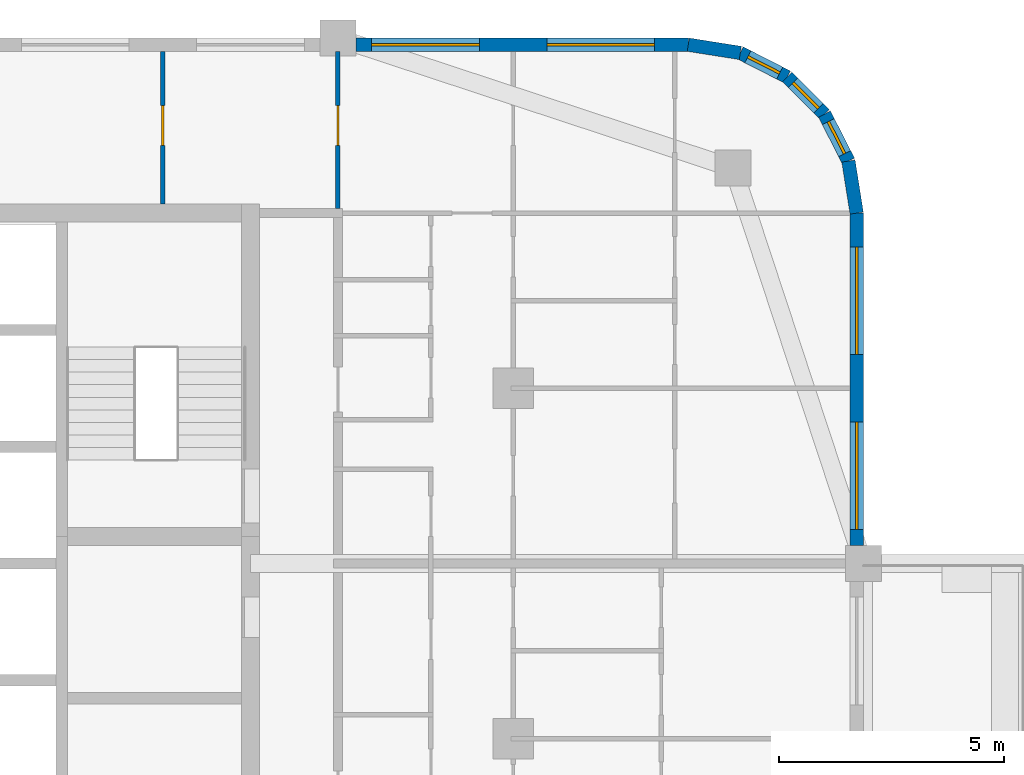
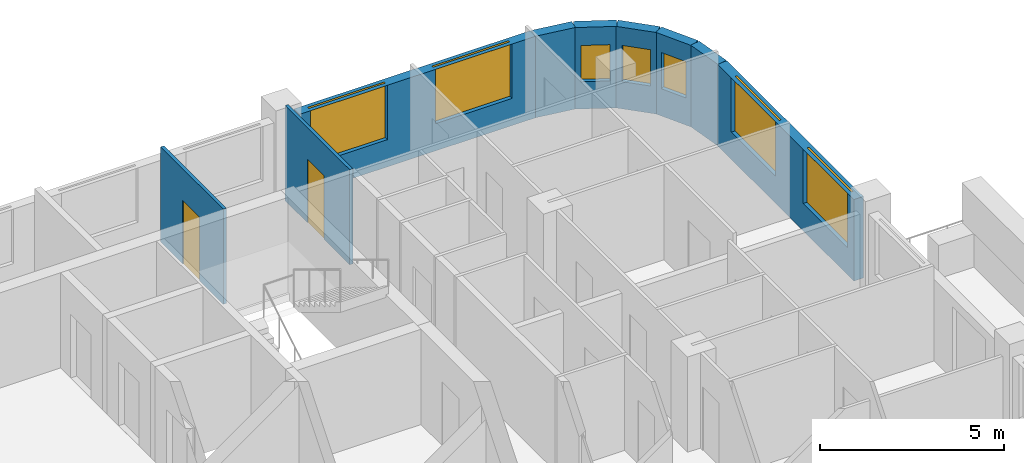
# One storey, part 12 of 17: 9 walls, 7 windows, 2 doors, 9 openings.
"""IFC4 building model written with IfcOpenShell, lengths in metres."""

import ifcopenshell
import ifcopenshell.guid

model = None  # the IFC model being written
_history = None  # IfcOwnerHistory: only IFC2X3 demands one
_inside = {}  # id of a spatial element -> (the spatial element, [elements in it])
_under = {}  # id of a project, library or spatial element -> (it, [spatial elements below it])
_declared = {}  # id of a project -> (the project, [libraries it declares])
_typed = {}  # id of a type object -> (the type object, [elements of that type])
_made_of = {}  # id of a material, layer set ... -> (it, [elements and type objects made of it])


def new_model(schema):
    """Start an empty IFC model of exactly this schema.

    Asked for "IFC4X3", IfcOpenShell would pick the latest addendum, in which some entities
    have other attributes; the version numbers below select the first issue.
    IFC2X3 requires an IfcOwnerHistory on every rooted entity: one is made here for all.
    """
    global model, _history
    if schema == "IFC4X3":
        model = ifcopenshell.file(schema_version=(4, 3, 0, 0))
    else:
        model = ifcopenshell.file(schema=schema)
    _inside.clear()
    _under.clear()
    _declared.clear()
    _typed.clear()
    _made_of.clear()
    _history = None
    if model.schema == "IFC2X3":
        org = make("IfcOrganization", Name="unknown")
        user = make(
            "IfcPersonAndOrganization",
            ThePerson=make("IfcPerson", FamilyName="unknown"),
            TheOrganization=org,
        )
        app = make(
            "IfcApplication",
            ApplicationDeveloper=org,
            Version="unknown",
            ApplicationFullName="unknown",
            ApplicationIdentifier="unknown",
        )
        _history = make(
            "IfcOwnerHistory",
            OwningUser=user,
            OwningApplication=app,
            ChangeAction="ADDED",
            CreationDate=0,
        )
    return model


def make(cls, **values):
    """One entity of the class cls with the attributes given. An attribute that is None is left unset."""
    return model.create_entity(
        cls, **{name: value for name, value in values.items() if value is not None}
    )


def rooted(cls, **values):
    """An entity with a GlobalId (a new one), such as an element, a storey or a relation."""
    return make(cls, GlobalId=ifcopenshell.guid.new(), OwnerHistory=_history, **values)


def si_unit(unit_type, name, prefix=None):
    """IfcSIUnit, for example si_unit("LENGTHUNIT", "METRE", prefix="MILLI")."""
    return make("IfcSIUnit", UnitType=unit_type, Prefix=prefix, Name=name)


def assignment(units):
    """IfcUnitAssignment: the units of a project."""
    return None if units is None else make("IfcUnitAssignment", Units=units)


def point(xyz):
    """IfcCartesianPoint."""
    return None if xyz is None else make("IfcCartesianPoint", Coordinates=xyz)


def direction(xyz):
    """IfcDirection."""
    return None if xyz is None else make("IfcDirection", DirectionRatios=xyz)


def frame(location, z_axis=None, x_axis=None):
    """IfcAxis2Placement3D, a coordinate frame: its origin and axes. An axis left out is left unset."""
    return make(
        "IfcAxis2Placement3D",
        Location=point(location),
        Axis=direction(z_axis),
        RefDirection=direction(x_axis),
    )


def frame_2d(location, x_axis=None):
    """IfcAxis2Placement2D, a coordinate frame in the plane: its origin and x axis."""
    return make(
        "IfcAxis2Placement2D", Location=point(location), RefDirection=direction(x_axis)
    )


def origin():
    """The frame at (0, 0, 0) with its axes left unset."""
    return frame((0.0, 0.0, 0.0))


def place(relative_to, where):
    """IfcLocalPlacement: puts the frame where relative to a parent placement (None: the world)."""
    return make(
        "IfcLocalPlacement", PlacementRelTo=relative_to, RelativePlacement=where
    )


def context(
    kind, dimensions, precision=None, world=None, true_north=None, identifier=None
):
    """IfcGeometricRepresentationContext, for example the 3D "Model" context."""
    return make(
        "IfcGeometricRepresentationContext",
        ContextIdentifier=identifier,
        ContextType=kind,
        CoordinateSpaceDimension=dimensions,
        Precision=precision,
        WorldCoordinateSystem=world,
        TrueNorth=true_north,
    )


def subcontext(parent, identifier, kind, view, scale=None):
    """IfcGeometricRepresentationSubContext, for example "Body" below "Model"."""
    return make(
        "IfcGeometricRepresentationSubContext",
        ContextIdentifier=identifier,
        ContextType=kind,
        ParentContext=parent,
        TargetScale=scale,
        TargetView=view,
    )


def project(units=None, contexts=None):
    """IfcProject with its units and contexts."""
    return rooted(
        "IfcProject",
        Name="project",
        RepresentationContexts=contexts,
        UnitsInContext=assignment(units),
    )


def spatial(cls, under=None, at=None, **own):
    """A site, building, storey or space (cls), placed at a placement, below another one or the project."""
    s = rooted(cls, ObjectPlacement=at, **own)
    if under is not None:
        _under.setdefault(under.id(), (under, []))[1].append(s)
    return s


def profile(cls, at=None, kind="AREA", **sizes):
    """A parametric profile (cls). Its sizes go by their IFC names, for example OverallWidth=200.0."""
    return make(cls, ProfileType=kind, Position=at, **sizes)


def rectangle(**sizes):
    """IfcRectangleProfileDef."""
    return profile("IfcRectangleProfileDef", **sizes)


def extrude(swept, where, along, depth):
    """IfcExtrudedAreaSolid: the profile swept, set in the frame where, extruded along a direction by depth."""
    return make(
        "IfcExtrudedAreaSolid",
        SweptArea=swept,
        Position=where,
        ExtrudedDirection=direction(along),
        Depth=depth,
    )


def shape(context_of_items, identifier, shape_type, items):
    """IfcShapeRepresentation: the items that make up one representation, for example the "Body"."""
    return make(
        "IfcShapeRepresentation",
        ContextOfItems=context_of_items,
        RepresentationIdentifier=identifier,
        RepresentationType=shape_type,
        Items=items,
    )


def material(Name=None, Category=None):
    """IfcMaterial."""
    return make("IfcMaterial", Name=Name, Category=Category)


def layer(
    of_material, thickness, ventilated=None, Name=None, Category=None, Priority=None
):
    """IfcMaterialLayer: one layer of a wall or slab, of a material (None: an air gap)."""
    return make(
        "IfcMaterialLayer",
        Material=of_material,
        LayerThickness=thickness,
        IsVentilated=ventilated,
        Name=Name,
        Category=Category,
        Priority=Priority,
    )


def layer_set(layers, Name=None):
    """IfcMaterialLayerSet."""
    return make("IfcMaterialLayerSet", MaterialLayers=layers, LayerSetName=Name)


def made_of(thing, what):
    """Note that an element or type object is made of a material, layer set ...; save() writes the relation."""
    if what is not None:
        _made_of.setdefault(what.id(), (what, []))[1].append(thing)
    return thing


def type_object(cls, material=None, **own):
    """A type object (cls), such as IfcWallType, which elements share."""
    return made_of(rooted(cls, **own), material)


def element(
    cls,
    number,
    at=None,
    inside=None,
    cuts=None,
    type_object=None,
    material=None,
    context=None,
    identifier="Body",
    shape_type=None,
    held_by="IfcProductDefinitionShape",
    body=None,
    shapes=None,
    **own,
):
    """One element of the class cls, such as IfcWall. Its Tag is "e" and its number.

    at: its placement. inside: the storey or other place that contains it. cuts: it is an
    opening in that element (IfcRelVoidsElement). A single representation is given by context,
    identifier, shape_type and body (its items); several are given by shapes. held_by: the class
    of the entity that holds the representations. save() writes the other relations.
    """
    e = rooted(cls, Tag="e%d" % number, ObjectPlacement=at, **own)
    if body is not None:
        shapes = [shape(context, identifier, shape_type, body)]
    if shapes is not None:
        e.Representation = make(held_by, Representations=shapes)
    if inside is not None:
        _inside.setdefault(inside.id(), (inside, []))[1].append(e)
    if cuts is not None:
        rooted(
            "IfcRelVoidsElement", RelatingBuildingElement=cuts, RelatedOpeningElement=e
        )
    if type_object is not None:
        _typed.setdefault(type_object.id(), (type_object, []))[1].append(e)
    return made_of(e, material)


def fill(opening, filler):
    """IfcRelFillsElement: the door or window that sits in an opening."""
    return rooted(
        "IfcRelFillsElement",
        RelatingOpeningElement=opening,
        RelatedBuildingElement=filler,
    )


def aggregate(whole, parts):
    """IfcRelAggregates: a whole, such as a stair, and the parts it consists of."""
    return rooted("IfcRelAggregates", RelatingObject=whole, RelatedObjects=parts)


def save(model, path):
    """Write the relations noted so far, then the file.

    IfcRelAggregates (storeys below a building ...), IfcRelContainedInSpatialStructure (elements
    in a storey), IfcRelDefinesByType, IfcRelAssociatesMaterial and IfcRelDeclares: one each for
    every whole, place, type object, material and project.
    """
    for whole, parts in _under.values():
        aggregate(whole, parts)
    for where, things in _inside.values():
        rooted(
            "IfcRelContainedInSpatialStructure",
            RelatedElements=things,
            RelatingStructure=where,
        )
    for kind, things in _typed.values():
        rooted("IfcRelDefinesByType", RelatedObjects=things, RelatingType=kind)
    for what, things in _made_of.values():
        rooted("IfcRelAssociatesMaterial", RelatedObjects=things, RelatingMaterial=what)
    for by, libraries in _declared.values():
        rooted("IfcRelDeclares", RelatingContext=by, RelatedDefinitions=libraries)
    model.write(path)


model = new_model("IFC4")

# Units and contexts
model_context = context("Model", 3, precision=1e-05, world=origin(), true_north=direction((0.0, 1.0)))
body_context = subcontext(model_context, "Body", "Model", "MODEL_VIEW")
ifc_project = project(units=[si_unit("LENGTHUNIT", "METRE"), si_unit("AREAUNIT", "SQUARE_METRE"), si_unit("VOLUMEUNIT", "CUBIC_METRE"), si_unit("PLANEANGLEUNIT", "RADIAN"), si_unit("MASSUNIT", "GRAM", prefix="KILO")], contexts=[model_context])

# Site, building, storey
site_placement = place(None, origin())
site = spatial("IfcSite", under=ifc_project, at=site_placement, CompositionType="ELEMENT")
building_placement = place(site_placement, origin())
building = spatial("IfcBuilding", under=site, at=building_placement, Name="Ludao Terraces", CompositionType="ELEMENT")
storey_placement = place(building_placement, frame((0.0, 0.0, 221.10009765625)))
storey = spatial("IfcBuildingStorey", under=building, at=storey_placement, Name="L60", CompositionType="ELEMENT", Elevation=221.10009765625)

# Wall, openings, windows
ifc_material_1 = material(Name="Granite cladding", Category="masonry")
ifc_layer_1 = layer(ifc_material_1, 0.0400390625, Category="stone")
ifc_material_2 = material(Name="Mineral wool")
ifc_layer_2 = layer(ifc_material_2, 0.06005859375)
ifc_material_3 = material(Name="Concrete C40", Category="concrete")
ifc_layer_3 = layer(ifc_material_3, 0.199951171875, Category="concrete")
ifc_layer_set_1 = layer_set([ifc_layer_1, ifc_layer_2, ifc_layer_3], Name="ENV Stone-clad wall 300")
wall_type_1 = type_object("IfcWallType", Name="ENV Stone-clad wall 300", PredefinedType="SOLIDWALL", material=ifc_layer_set_1)
wall_1_placement = place(storey_placement, frame((108.25, 77.10009765625, 0.0), z_axis=(0.0, 0.0, 1.0), x_axis=(0.0, 1.0, 0.0)))
wall_1 = element("IfcWall", 1, at=wall_1_placement, inside=storey, type_object=wall_type_1, Name="EW-L60-E5", PredefinedType="SOLIDWALL", context=body_context, shape_type="SweptSolid", body=[
    extrude(rectangle(XDim=7.39990234375, YDim=0.300048828125, at=frame_2d((3.699951171875, 0.0))), origin(), (0.0, 0.0, 1.0), 2.699951171875),
])
opening_1_placement = place(wall_1_placement, frame((0.35009765625, 0.0, 0.89990234375)))
opening_1 = element("IfcOpeningElement", 2, at=opening_1_placement, cuts=wall_1, Name="Opening W1", PredefinedType="OPENING", context=body_context, shape_type="SweptSolid", body=[
    extrude(rectangle(XDim=2.39990234375, YDim=1.800048828125, at=frame_2d((1.199951171875, 0.89990234375))), frame((0.0, 0.16015625, 0.0), z_axis=(0.0, -1.0, 0.0), x_axis=(1.0, 0.0, 0.0)), (0.0, 0.0, 1.0), 0.320068359375),
])
opening_2_placement = place(wall_1_placement, frame((4.25, 0.0, 0.89990234375)))
opening_2 = element("IfcOpeningElement", 3, at=opening_2_placement, cuts=wall_1, Name="Opening W1", PredefinedType="OPENING", context=body_context, shape_type="SweptSolid", body=[
    extrude(rectangle(XDim=2.39990234375, YDim=1.800048828125, at=frame_2d((1.199951171875, 0.89990234375))), frame((0.0, 0.16015625, 0.0), z_axis=(0.0, -1.0, 0.0), x_axis=(1.0, 0.0, 0.0)), (0.0, 0.0, 1.0), 0.320068359375),
])
ifc_material_4 = material(Name="Clear glass in aluminium frame", Category="aluminium")
ifc_layer_4 = layer(ifc_material_4, 0.06005859375)
ifc_layer_set_2 = layer_set([ifc_layer_4], Name="ENV Window W1 2400x1800")
window_type_1 = type_object("IfcWindowType", Name="ENV Window W1 2400x1800", PartitioningType="DOUBLE_PANEL_VERTICAL", PredefinedType="WINDOW", material=ifc_layer_set_2)
window_1_placement = place(opening_1_placement, origin())
window_1 = element("IfcWindow", 4, at=window_1_placement, inside=storey, type_object=window_type_1, Name="W-L60-E5-1", OverallHeight=1.800048828125, OverallWidth=2.39990234375, PartitioningType="DOUBLE_PANEL_VERTICAL", PredefinedType="WINDOW", context=body_context, shape_type="SweptSolid", body=[
    extrude(rectangle(XDim=2.39990234375, YDim=1.800048828125, at=frame_2d((1.199951171875, 0.89990234375))), frame((0.0, 0.030029296875, 0.0), z_axis=(0.0, -1.0, 0.0), x_axis=(1.0, 0.0, 0.0)), (0.0, 0.0, 1.0), 0.06005859375),
])
fill(opening_1, window_1)
window_2_placement = place(opening_2_placement, origin())
window_2 = element("IfcWindow", 5, at=window_2_placement, inside=storey, type_object=window_type_1, Name="W-L60-E5-2", OverallHeight=1.800048828125, OverallWidth=2.39990234375, PartitioningType="DOUBLE_PANEL_VERTICAL", PredefinedType="WINDOW", context=body_context, shape_type="SweptSolid", body=[
    extrude(rectangle(XDim=2.39990234375, YDim=1.800048828125, at=frame_2d((1.199951171875, 0.89990234375))), frame((0.0, 0.030029296875, 0.0), z_axis=(0.0, -1.0, 0.0), x_axis=(1.0, 0.0, 0.0)), (0.0, 0.0, 1.0), 0.06005859375),
])
fill(opening_2, window_2)

wall_2_placement = place(storey_placement, frame((97.10009765625, 88.25, 0.0), z_axis=(0.0, 0.0, 1.0), x_axis=(1.0, 0.0, 0.0)))
wall_2 = element("IfcWall", 6, at=wall_2_placement, inside=storey, type_object=wall_type_1, Name="EW-L60-N3", PredefinedType="SOLIDWALL", context=body_context, shape_type="SweptSolid", body=[
    extrude(rectangle(XDim=7.39990234375, YDim=0.300048828125, at=frame_2d((3.699951171875, 0.0))), origin(), (0.0, 0.0, 1.0), 2.699951171875),
])
opening_3_placement = place(wall_2_placement, frame((0.35009765625, 0.0, 0.89990234375)))
opening_3 = element("IfcOpeningElement", 7, at=opening_3_placement, cuts=wall_2, Name="Opening W1", PredefinedType="OPENING", context=body_context, shape_type="SweptSolid", body=[
    extrude(rectangle(XDim=2.39990234375, YDim=1.800048828125, at=frame_2d((1.199951171875, 0.89990234375))), frame((0.0, 0.16015625, 0.0), z_axis=(0.0, -1.0, 0.0), x_axis=(1.0, 0.0, 0.0)), (0.0, 0.0, 1.0), 0.320068359375),
])
opening_4_placement = place(wall_2_placement, frame((4.25, 0.0, 0.89990234375)))
opening_4 = element("IfcOpeningElement", 8, at=opening_4_placement, cuts=wall_2, Name="Opening W1", PredefinedType="OPENING", context=body_context, shape_type="SweptSolid", body=[
    extrude(rectangle(XDim=2.39990234375, YDim=1.800048828125, at=frame_2d((1.199951171875, 0.89990234375))), frame((0.0, 0.16015625, 0.0), z_axis=(0.0, -1.0, 0.0), x_axis=(1.0, 0.0, 0.0)), (0.0, 0.0, 1.0), 0.320068359375),
])
window_3_placement = place(opening_3_placement, origin())
window_3 = element("IfcWindow", 9, at=window_3_placement, inside=storey, type_object=window_type_1, Name="W-L60-N3-1", OverallHeight=1.800048828125, OverallWidth=2.39990234375, PartitioningType="DOUBLE_PANEL_VERTICAL", PredefinedType="WINDOW", context=body_context, shape_type="SweptSolid", body=[
    extrude(rectangle(XDim=2.39990234375, YDim=1.800048828125, at=frame_2d((1.199951171875, 0.89990234375))), frame((0.0, 0.030029296875, 0.0), z_axis=(0.0, -1.0, 0.0), x_axis=(1.0, 0.0, 0.0)), (0.0, 0.0, 1.0), 0.06005859375),
])
fill(opening_3, window_3)
window_4_placement = place(opening_4_placement, origin())
window_4 = element("IfcWindow", 10, at=window_4_placement, inside=storey, type_object=window_type_1, Name="W-L60-N3-2", OverallHeight=1.800048828125, OverallWidth=2.39990234375, PartitioningType="DOUBLE_PANEL_VERTICAL", PredefinedType="WINDOW", context=body_context, shape_type="SweptSolid", body=[
    extrude(rectangle(XDim=2.39990234375, YDim=1.800048828125, at=frame_2d((1.199951171875, 0.89990234375))), frame((0.0, 0.030029296875, 0.0), z_axis=(0.0, -1.0, 0.0), x_axis=(1.0, 0.0, 0.0)), (0.0, 0.0, 1.0), 0.06005859375),
])
fill(opening_4, window_4)

# Wall
wall_3_placement = place(storey_placement, frame((108.25, 84.5, 0.0), z_axis=(0.0, 0.0, 1.0), x_axis=(-0.156496880861, 0.987678452879, 0.0)))
element("IfcWall", 11, at=wall_3_placement, inside=storey, type_object=wall_type_1, Name="EW-L60-NE1", PredefinedType="SOLIDWALL", context=body_context, shape_type="SweptSolid", body=[
    extrude(rectangle(XDim=1.173095703125, YDim=0.300048828125, at=frame_2d((0.58642578125, 0.0))), origin(), (0.0, 0.0, 1.0), 2.699951171875),
])

# Wall, opening, window
wall_4_placement = place(storey_placement, frame((108.06640625, 85.65869140625, 0.0), z_axis=(0.0, 0.0, 1.0), x_axis=(-0.454025524128, 0.890988677504, 0.0)))
wall_4 = element("IfcWall", 12, at=wall_4_placement, inside=storey, type_object=wall_type_1, Name="EW-L60-NE2", PredefinedType="SOLIDWALL", context=body_context, shape_type="SweptSolid", body=[
    extrude(rectangle(XDim=1.17333984375, YDim=0.300048828125, at=frame_2d((0.586669921875, 0.0))), origin(), (0.0, 0.0, 1.0), 2.699951171875),
])
opening_5_placement = place(wall_4_placement, frame((0.1865234375, 0.0, 0.89990234375)))
opening_5 = element("IfcOpeningElement", 13, at=opening_5_placement, cuts=wall_4, Name="Opening W3", PredefinedType="OPENING", context=body_context, shape_type="SweptSolid", body=[
    extrude(rectangle(XDim=0.800048828125, YDim=1.199951171875, at=frame_2d((0.39990234375, 0.60009765625))), frame((0.0, 0.16015625, 0.0), z_axis=(0.0, -1.0, 0.0), x_axis=(1.0, 0.0, 0.0)), (0.0, 0.0, 1.0), 0.320068359375),
])
ifc_layer_5 = layer(ifc_material_4, 0.06005859375)
ifc_layer_set_3 = layer_set([ifc_layer_5], Name="ENV Window W3 800x1200")
window_type_2 = type_object("IfcWindowType", Name="ENV Window W3 800x1200", PartitioningType="SINGLE_PANEL", PredefinedType="WINDOW", material=ifc_layer_set_3)
window_5_placement = place(opening_5_placement, origin())
window_5 = element("IfcWindow", 14, at=window_5_placement, inside=storey, type_object=window_type_2, Name="W-L60-NE2", OverallHeight=1.199951171875, OverallWidth=0.800048828125, PartitioningType="SINGLE_PANEL", PredefinedType="WINDOW", context=body_context, shape_type="SweptSolid", body=[
    extrude(rectangle(XDim=0.800048828125, YDim=1.199951171875, at=frame_2d((0.39990234375, 0.60009765625))), frame((0.0, 0.030029296875, 0.0), z_axis=(0.0, -1.0, 0.0), x_axis=(1.0, 0.0, 0.0)), (0.0, 0.0, 1.0), 0.06005859375),
])
fill(opening_5, window_5)

wall_5_placement = place(storey_placement, frame((107.53369140625, 86.7041015625, 0.0), z_axis=(0.0, 0.0, 1.0), x_axis=(-0.707106781187, 0.707106781187, 0.0)))
wall_5 = element("IfcWall", 15, at=wall_5_placement, inside=storey, type_object=wall_type_1, Name="EW-L60-NE3", PredefinedType="SOLIDWALL", context=body_context, shape_type="SweptSolid", body=[
    extrude(rectangle(XDim=1.173095703125, YDim=0.300048828125, at=frame_2d((0.58642578125, 0.0))), origin(), (0.0, 0.0, 1.0), 2.699951171875),
])
opening_6_placement = place(wall_5_placement, frame((0.1865234375, 0.0, 0.89990234375)))
opening_6 = element("IfcOpeningElement", 16, at=opening_6_placement, cuts=wall_5, Name="Opening W3", PredefinedType="OPENING", context=body_context, shape_type="SweptSolid", body=[
    extrude(rectangle(XDim=0.800048828125, YDim=1.199951171875, at=frame_2d((0.39990234375, 0.60009765625))), frame((0.0, 0.16015625, 0.0), z_axis=(0.0, -1.0, 0.0), x_axis=(1.0, 0.0, 0.0)), (0.0, 0.0, 1.0), 0.320068359375),
])
window_6_placement = place(opening_6_placement, origin())
window_6 = element("IfcWindow", 17, at=window_6_placement, inside=storey, type_object=window_type_2, Name="W-L60-NE3", OverallHeight=1.199951171875, OverallWidth=0.800048828125, PartitioningType="SINGLE_PANEL", PredefinedType="WINDOW", context=body_context, shape_type="SweptSolid", body=[
    extrude(rectangle(XDim=0.800048828125, YDim=1.199951171875, at=frame_2d((0.39990234375, 0.60009765625))), frame((0.0, 0.030029296875, 0.0), z_axis=(0.0, -1.0, 0.0), x_axis=(1.0, 0.0, 0.0)), (0.0, 0.0, 1.0), 0.06005859375),
])
fill(opening_6, window_6)

wall_6_placement = place(storey_placement, frame((106.7041015625, 87.53369140625, 0.0), z_axis=(0.0, 0.0, 1.0), x_axis=(-0.890988677504, 0.454025524128, 0.0)))
wall_6 = element("IfcWall", 18, at=wall_6_placement, inside=storey, type_object=wall_type_1, Name="EW-L60-NE4", PredefinedType="SOLIDWALL", context=body_context, shape_type="SweptSolid", body=[
    extrude(rectangle(XDim=1.17333984375, YDim=0.300048828125, at=frame_2d((0.586669921875, 0.0))), origin(), (0.0, 0.0, 1.0), 2.699951171875),
])
opening_7_placement = place(wall_6_placement, frame((0.1865234375, 0.0, 0.89990234375)))
opening_7 = element("IfcOpeningElement", 19, at=opening_7_placement, cuts=wall_6, Name="Opening W3", PredefinedType="OPENING", context=body_context, shape_type="SweptSolid", body=[
    extrude(rectangle(XDim=0.800048828125, YDim=1.199951171875, at=frame_2d((0.39990234375, 0.60009765625))), frame((0.0, 0.16015625, 0.0), z_axis=(0.0, -1.0, 0.0), x_axis=(1.0, 0.0, 0.0)), (0.0, 0.0, 1.0), 0.320068359375),
])
window_7_placement = place(opening_7_placement, origin())
window_7 = element("IfcWindow", 20, at=window_7_placement, inside=storey, type_object=window_type_2, Name="W-L60-NE4", OverallHeight=1.199951171875, OverallWidth=0.800048828125, PartitioningType="SINGLE_PANEL", PredefinedType="WINDOW", context=body_context, shape_type="SweptSolid", body=[
    extrude(rectangle(XDim=0.800048828125, YDim=1.199951171875, at=frame_2d((0.39990234375, 0.60009765625))), frame((0.0, 0.030029296875, 0.0), z_axis=(0.0, -1.0, 0.0), x_axis=(1.0, 0.0, 0.0)), (0.0, 0.0, 1.0), 0.06005859375),
])
fill(opening_7, window_7)

# Wall
wall_7_placement = place(storey_placement, frame((105.65869140625, 88.06640625, 0.0), z_axis=(0.0, 0.0, 1.0), x_axis=(-0.987678452879, 0.156496880861, 0.0)))
element("IfcWall", 21, at=wall_7_placement, inside=storey, type_object=wall_type_1, Name="EW-L60-NE5", PredefinedType="SOLIDWALL", context=body_context, shape_type="SweptSolid", body=[
    extrude(rectangle(XDim=1.173095703125, YDim=0.300048828125, at=frame_2d((0.58642578125, 0.0))), origin(), (0.0, 0.0, 1.0), 2.699951171875),
])

# Wall, opening, door
ifc_material_5 = material(Name="Gypsum plasterboard", Category="gypsum")
ifc_layer_6 = layer(ifc_material_5, 0.012451171875, Category="gypsum")
ifc_layer_7 = layer(ifc_material_2, 0.06005859375, Name="insulation")
ifc_material_6 = material(Name="Steel Q235", Category="steel")
ifc_layer_8 = layer(ifc_material_6, 0.014892578125, Name="stud")
ifc_layer_9 = layer(ifc_material_5, 0.012451171875, Category="gypsum")
ifc_layer_set_4 = layer_set([ifc_layer_6, ifc_layer_7, ifc_layer_8, ifc_layer_9], Name="INT Partition 100")
wall_type_2 = type_object("IfcWallType", Name="INT Partition 100", PredefinedType="PARTITIONING", material=ifc_layer_set_4)
wall_8_placement = place(storey_placement, frame((92.800048828125, 84.7001953125, 0.0), z_axis=(0.0, 0.0, 1.0), x_axis=(0.0, 1.0, 0.0)))
wall_8 = element("IfcWall", 22, at=wall_8_placement, inside=storey, type_object=wall_type_2, Name="PW-L60-PW088", PredefinedType="PARTITIONING", context=body_context, shape_type="SweptSolid", body=[
    extrude(rectangle(XDim=3.39990234375, YDim=0.10009765625, at=frame_2d((1.699951171875, 0.0))), origin(), (0.0, 0.0, 1.0), 3.14990234375),
])
opening_8_placement = place(wall_8_placement, frame((1.2998046875, 0.0, 0.0)))
opening_8 = element("IfcOpeningElement", 23, at=opening_8_placement, cuts=wall_8, Name="Opening R21-141", PredefinedType="OPENING", context=body_context, shape_type="SweptSolid", body=[
    extrude(rectangle(XDim=0.89990234375, YDim=2.10009765625, at=frame_2d((0.449951171875, 1.050048828125))), frame((0.0, 0.06005859375, 0.0), z_axis=(0.0, -1.0, 0.0), x_axis=(1.0, 0.0, 0.0)), (0.0, 0.0, 1.0), 0.1201171875),
])
ifc_material_7 = material(Name="Timber door leaf", Category="wood")
door_type = type_object("IfcDoorType", Name="INT Room door 900", OperationType="SINGLE_SWING_LEFT", PredefinedType="DOOR", material=ifc_material_7)
door_1_placement = place(opening_8_placement, origin())
door_1 = element("IfcDoor", 24, at=door_1_placement, inside=storey, type_object=door_type, Name="DOOR 141", OperationType="SINGLE_SWING_RIGHT", OverallHeight=2.10009765625, OverallWidth=0.89990234375, PredefinedType="DOOR", context=body_context, shape_type="SweptSolid", body=[
    extrude(rectangle(XDim=0.89990234375, YDim=2.10009765625, at=frame_2d((0.449951171875, 1.050048828125))), frame((0.0, 0.02490234375, 0.0), z_axis=(0.0, -1.0, 0.0), x_axis=(1.0, 0.0, 0.0)), (0.0, 0.0, 1.0), 0.050048828125),
])
fill(opening_8, door_1)

wall_9_placement = place(storey_placement, frame((96.699951171875, 84.60009765625, 0.0), z_axis=(0.0, 0.0, 1.0), x_axis=(0.0, 1.0, 0.0)))
wall_9 = element("IfcWall", 25, at=wall_9_placement, inside=storey, type_object=wall_type_2, Name="PW-L60-PW091", PredefinedType="PARTITIONING", context=body_context, shape_type="SweptSolid", body=[
    extrude(rectangle(XDim=3.5, YDim=0.10009765625, at=frame_2d((1.75, 0.0))), origin(), (0.0, 0.0, 1.0), 3.14990234375),
])
opening_9_placement = place(wall_9_placement, frame((1.39990234375, 0.0, 0.0)))
opening_9 = element("IfcOpeningElement", 26, at=opening_9_placement, cuts=wall_9, Name="Opening R21-142", PredefinedType="OPENING", context=body_context, shape_type="SweptSolid", body=[
    extrude(rectangle(XDim=0.89990234375, YDim=2.10009765625, at=frame_2d((0.449951171875, 1.050048828125))), frame((0.0, 0.06005859375, 0.0), z_axis=(0.0, -1.0, 0.0), x_axis=(1.0, 0.0, 0.0)), (0.0, 0.0, 1.0), 0.1201171875),
])
door_2_placement = place(opening_9_placement, origin())
door_2 = element("IfcDoor", 27, at=door_2_placement, inside=storey, type_object=door_type, Name="DOOR 142", OperationType="SINGLE_SWING_RIGHT", OverallHeight=2.10009765625, OverallWidth=0.89990234375, PredefinedType="DOOR", context=body_context, shape_type="SweptSolid", body=[
    extrude(rectangle(XDim=0.89990234375, YDim=2.10009765625, at=frame_2d((0.449951171875, 1.050048828125))), frame((0.0, 0.02490234375, 0.0), z_axis=(0.0, -1.0, 0.0), x_axis=(1.0, 0.0, 0.0)), (0.0, 0.0, 1.0), 0.050048828125),
])
fill(opening_9, door_2)

save(model, "model.ifc")
